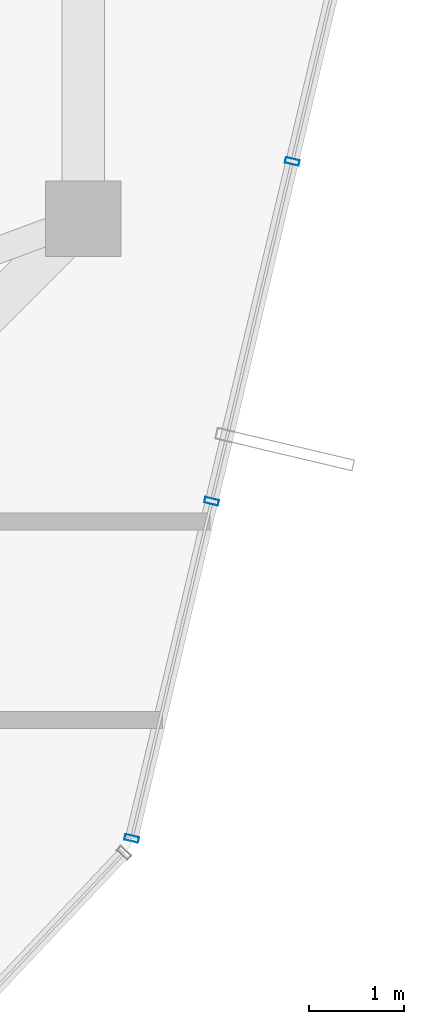
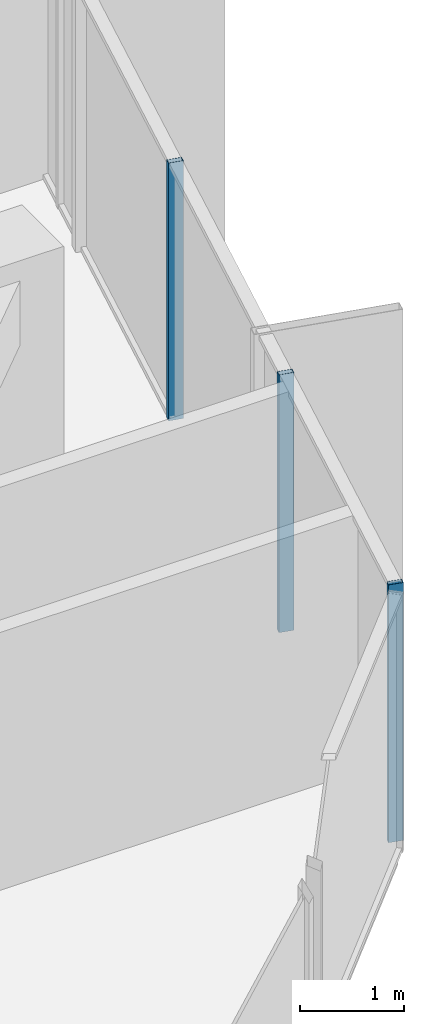
# One storey, part 17 of 28: 3 members, 1 element without a shape of its own.
"""IFC4 building model written with IfcOpenShell, lengths in metres."""

from ifc_helpers import new_model, si_unit, direction, frame, origin, origin_2d, place, context, subcontext, project, spatial, hollow_rectangle, extrude, source, transform, mapped, material, layer, layer_set, material_profile, profile_set, type_object, element, aggregate, save


model = new_model("IFC4")

# Units and contexts
model_context = context("Model", 3, precision=1e-05, world=origin(), true_north=direction((0.0, 1.0)))
body_context = subcontext(model_context, "Body", "Model", "MODEL_VIEW")
ifc_project = project(units=[si_unit("LENGTHUNIT", "METRE"), si_unit("AREAUNIT", "SQUARE_METRE"), si_unit("VOLUMEUNIT", "CUBIC_METRE"), si_unit("PLANEANGLEUNIT", "RADIAN"), si_unit("MASSUNIT", "GRAM", prefix="KILO")], contexts=[model_context])

# Site, building, storey
site_placement = place(None, origin())
site = spatial("IfcSite", under=ifc_project, at=site_placement, CompositionType="ELEMENT")
building_placement = place(site_placement, origin())
building = spatial("IfcBuilding", under=site, at=building_placement, Name="Veraguas Prism Commons", CompositionType="ELEMENT")
storey_placement = place(building_placement, frame((0.0, 0.0, 254.5)))
storey = spatial("IfcBuildingStorey", under=building, at=storey_placement, Name="L72", CompositionType="ELEMENT", Elevation=254.5)

# Curtain wall, members
ifc_material = material(Name="Anodised aluminium EN AW-6063 T6", Category="aluminium")
ifc_layer = layer(ifc_material, 0.14990234375, Name="Unitised Flush Curtain Wall Zone 4", Category="aluminium")
ifc_layer_set = layer_set([ifc_layer], Name="Anodised aluminium EN AW-6063 T6")
curtain_wall_type = type_object("IfcCurtainWallType", Name="Unitised Flush Curtain Wall Zone 4", PredefinedType="NOTDEFINED", material=ifc_layer_set)
curtain_wall_placement = place(storey_placement, origin())
curtain_wall = element("IfcCurtainWall", 1, at=curtain_wall_placement, inside=storey, type_object=curtain_wall_type, Name="Tower Facade Curtain Wall L72-F6", PredefinedType="NOTDEFINED")
ifc_material_profile = material_profile(ifc_material, hollow_rectangle(XDim=0.06005859375, YDim=0.14990234375, WallThickness=0.0029296875, at=origin_2d()), Name="AL60X150X3")
ifc_profile_set = profile_set([ifc_material_profile], Name="Anodised aluminium EN AW-6063 T6")
member_type = type_object("IfcMemberType", Name="Curtain Wall Mullion Upper AL 60x150x3", PredefinedType="MULLION", material=ifc_profile_set)
shared_shape = source(origin(), body_context, "Body", "SweptSolid", [
    extrude(hollow_rectangle(XDim=0.06005859375, YDim=0.14990234375, WallThickness=0.0029296875, at=origin_2d()), origin(), (0.0, 0.0, 1.0), 3.014892578125),
])
member_1_placement = place(storey_placement, frame((38.313720703125, 13.048583984375, 0.0), z_axis=(0.0, 0.0, 1.0), x_axis=(0.230740975733, 0.973015211658, 0.0)))
member_1 = element("IfcMember", 2, at=member_1_placement, type_object=member_type, Name="CW-Z4 Mullion 1", PredefinedType="MULLION", context=body_context, shape_type="MappedRepresentation", body=[
    mapped(shared_shape, transform((0.0, 0.0, 0.0), scale=1.0)),
])
member_2_placement = place(storey_placement, frame((39.15869140625, 16.611572265625, 0.0), z_axis=(0.0, 0.0, 1.0), x_axis=(0.230740975733, 0.973015211658, 0.0)))
member_2 = element("IfcMember", 3, at=member_2_placement, type_object=member_type, Name="CW-Z4 Mullion 2", PredefinedType="MULLION", context=body_context, shape_type="MappedRepresentation", body=[
    mapped(shared_shape, transform((0.0, 0.0, 0.0), scale=1.0)),
])
member_3_placement = place(storey_placement, frame((40.010498046875, 20.203369140625, 0.0), z_axis=(0.0, 0.0, 1.0), x_axis=(0.230740975733, 0.973015211658, 0.0)))
member_3 = element("IfcMember", 4, at=member_3_placement, type_object=member_type, Name="CW-Z4 Mullion 3", PredefinedType="MULLION", context=body_context, shape_type="MappedRepresentation", body=[
    mapped(shared_shape, transform((0.0, 0.0, 0.0), scale=1.0)),
])
aggregate(curtain_wall, [member_1, member_2, member_3])

save(model, "model.ifc")
